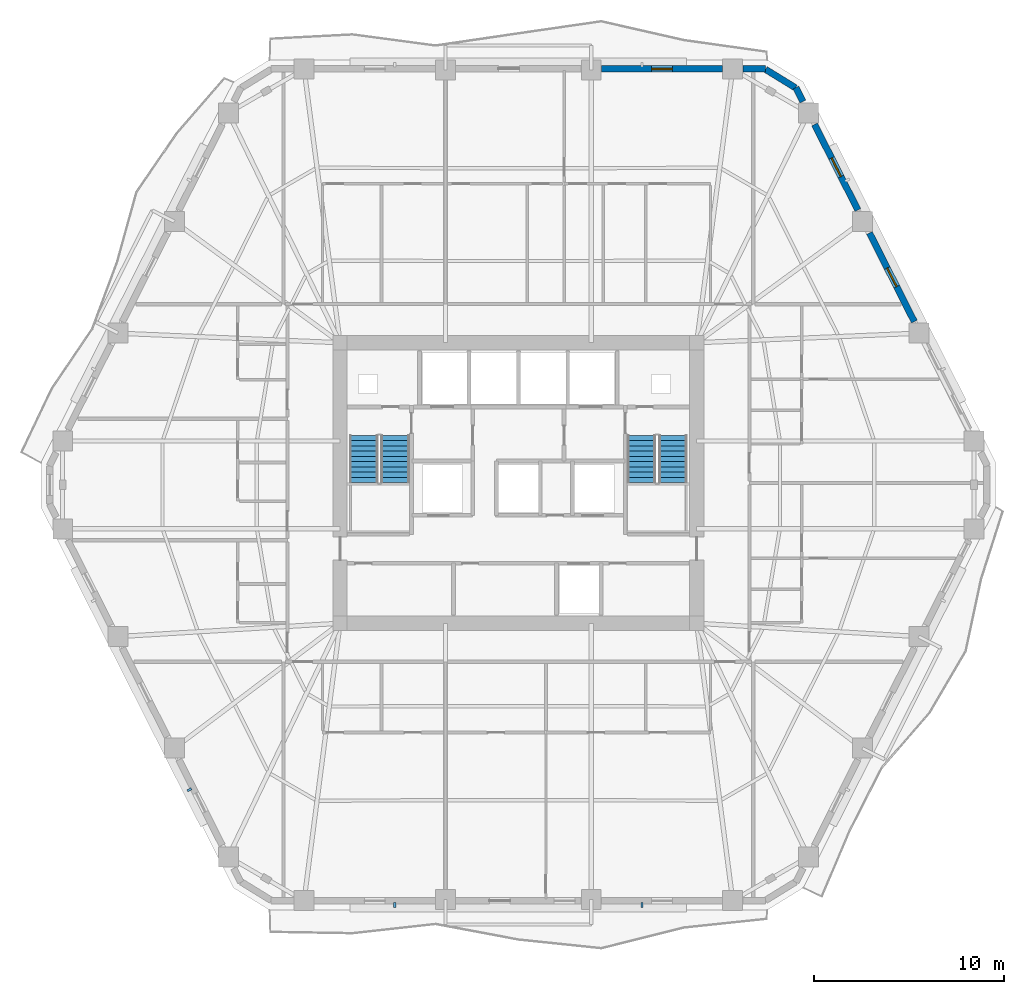
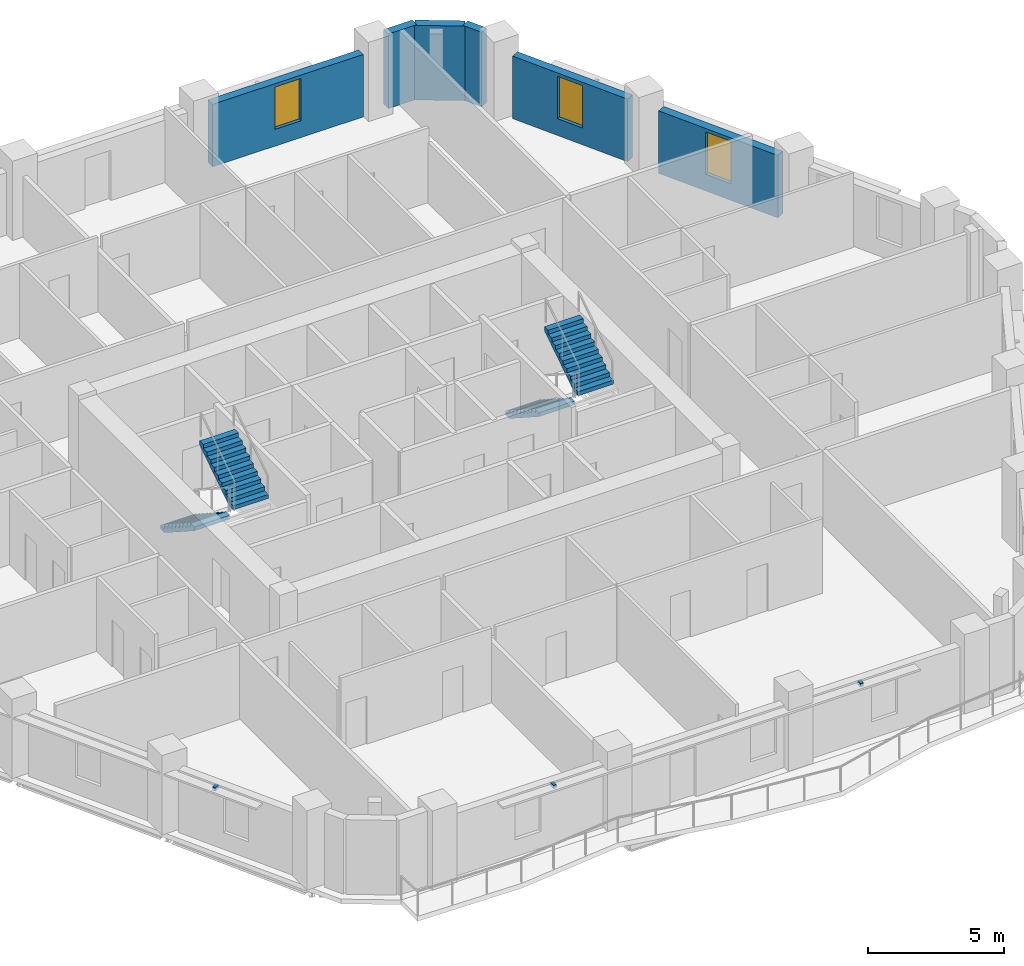
# One storey, part 8 of 12: 6 walls, 4 stair flights, 3 discrete accessories, 3 windows, 3 openings, 2 elements without a shape of their own.
"""IFC4 building model written with IfcOpenShell, lengths in metres."""

from ifc_helpers import new_model, si_unit, direction, frame, frame_2d, origin, origin_2d, place, context, subcontext, project, spatial, polyline, rectangle, outline, extrude, material, layer, layer_set, type_object, element, fill, aggregate, save


model = new_model("IFC4")

# Units and contexts
model_context = context("Model", 3, precision=1e-05, world=origin(), true_north=direction((0.0, 1.0)))
body_context = subcontext(model_context, "Body", "Model", "MODEL_VIEW")
ifc_project = project(units=[si_unit("LENGTHUNIT", "METRE"), si_unit("AREAUNIT", "SQUARE_METRE"), si_unit("VOLUMEUNIT", "CUBIC_METRE"), si_unit("PLANEANGLEUNIT", "RADIAN"), si_unit("MASSUNIT", "GRAM", prefix="KILO")], contexts=[model_context])

# Site, building, storey
site_placement = place(None, origin())
site = spatial("IfcSite", under=ifc_project, at=site_placement, CompositionType="ELEMENT")
building_placement = place(site_placement, origin())
building = spatial("IfcBuilding", under=site, at=building_placement, Name="Cinnabar Lancet Tower", CompositionType="ELEMENT")
storey_placement = place(building_placement, frame((0.0, 0.0, 137.449951171875)))
storey = spatial("IfcBuildingStorey", under=building, at=storey_placement, Name="L36", CompositionType="ELEMENT", Elevation=137.449951171875)

# Wall
ifc_material_1 = material(Name="Cinnabar red clay brick", Category="masonry")
ifc_layer = layer(ifc_material_1, 0.340087890625)
ifc_layer_set = layer_set([ifc_layer], Name="Cinnabar red clay brick")
wall_type = type_object("IfcWallType", Name="ENV-WL-BRK-RED-340", PredefinedType="STANDARD", material=ifc_layer_set)
wall_1_placement = place(storey_placement, frame((46.970947265625, 46.677001953125, 0.0), z_axis=(0.0, 0.0, 1.0), x_axis=(-0.851798915137, 0.523868884523, 0.0)))
element("IfcWall", 1, at=wall_1_placement, inside=storey, type_object=wall_type, Name="L36 Chamfered Corner Brick Pier 4.1", PredefinedType="STANDARD", context=body_context, shape_type="SweptSolid", body=[
    extrude(rectangle(XDim=1.847900390625, YDim=0.340087890625, at=frame_2d((0.923828125, 0.0))), origin(), (0.0, 0.0, 1.0), 3.340087890625),
])

# Wall, opening, window
wall_2_placement = place(storey_placement, frame((53.219970703125, 34.382080078125, 0.0), z_axis=(0.0, 0.0, 1.0), x_axis=(-0.451567731634, 0.892236842855, 0.0)))
wall_2 = element("IfcWall", 2, at=wall_2_placement, inside=storey, type_object=wall_type, Name="L36 Face 3 Masonry Bay Wall 3", PredefinedType="STANDARD", context=body_context, shape_type="SweptSolid", body=[
    extrude(rectangle(XDim=5.219482421875, YDim=0.340087890625, at=frame_2d((2.60986328125, 0.0))), origin(), (0.0, 0.0, 1.0), 2.797119140625),
])
opening_1_placement = place(wall_2_placement, frame((2.06005859375, 0.0, 0.75)))
opening_1 = element("IfcOpeningElement", 3, at=opening_1_placement, cuts=wall_2, Name="Opening WN-04", PredefinedType="OPENING", context=body_context, shape_type="SweptSolid", body=[
    extrude(rectangle(XDim=1.10009765625, YDim=1.89697265625, at=frame_2d((0.550048828125, 0.948486328125))), frame((0.0, 0.179931640625, 0.0), z_axis=(0.0, -1.0, 0.0), x_axis=(1.0, 0.0, 0.0)), (0.0, 0.0, 1.0), 0.360107421875),
])
ifc_material_2 = material(Name="Thermally broken bronze-anodized aluminium tall lancet window", Category="aluminium")
window_type = type_object("IfcWindowType", Name="ENV-WN-LANCET-1100", PartitioningType="SINGLE_PANEL", PredefinedType="WINDOW", material=ifc_material_2)
window_1_placement = place(opening_1_placement, origin())
window_1 = element("IfcWindow", 4, at=window_1_placement, inside=storey, type_object=window_type, Name="L36 Face 3 Gothic Lancet Window 3", OverallHeight=1.89697265625, OverallWidth=1.10009765625, PartitioningType="SINGLE_PANEL", PredefinedType="WINDOW", context=body_context, shape_type="SweptSolid", body=[
    extrude(rectangle(XDim=1.10009765625, YDim=1.89697265625, at=frame_2d((0.550048828125, 0.948486328125))), frame((0.0, 0.030029296875, 0.0), z_axis=(0.0, -1.0, 0.0), x_axis=(1.0, 0.0, 0.0)), (0.0, 0.0, 1.0), 0.06005859375),
])
fill(opening_1, window_1)

wall_3_placement = place(storey_placement, frame((50.2509765625, 40.2509765625, 0.0), z_axis=(0.0, 0.0, 1.0), x_axis=(-0.451548465867, 0.892246593142, 0.0)))
wall_3 = element("IfcWall", 5, at=wall_3_placement, inside=storey, type_object=wall_type, Name="L36 Face 3 Masonry Bay Wall 4", PredefinedType="STANDARD", context=body_context, shape_type="SweptSolid", body=[
    extrude(rectangle(XDim=5.040283203125, YDim=0.340087890625, at=frame_2d((2.52001953125, 0.0))), origin(), (0.0, 0.0, 1.0), 2.797119140625),
])
opening_2_placement = place(wall_3_placement, frame((1.969970703125, 0.0, 0.75)))
opening_2 = element("IfcOpeningElement", 6, at=opening_2_placement, cuts=wall_3, Name="Opening WN-04", PredefinedType="OPENING", context=body_context, shape_type="SweptSolid", body=[
    extrude(rectangle(XDim=1.10009765625, YDim=1.89697265625, at=frame_2d((0.550048828125, 0.948486328125))), frame((0.0, 0.179931640625, 0.0), z_axis=(0.0, -1.0, 0.0), x_axis=(1.0, 0.0, 0.0)), (0.0, 0.0, 1.0), 0.360107421875),
])
window_2_placement = place(opening_2_placement, origin())
window_2 = element("IfcWindow", 7, at=window_2_placement, inside=storey, type_object=window_type, Name="L36 Face 3 Gothic Lancet Window 4", OverallHeight=1.89697265625, OverallWidth=1.10009765625, PartitioningType="SINGLE_PANEL", PredefinedType="WINDOW", context=body_context, shape_type="SweptSolid", body=[
    extrude(rectangle(XDim=1.10009765625, YDim=1.89697265625, at=frame_2d((0.550048828125, 0.948486328125))), frame((0.0, 0.030029296875, 0.0), z_axis=(0.0, -1.0, 0.0), x_axis=(1.0, 0.0, 0.0)), (0.0, 0.0, 1.0), 0.06005859375),
])
fill(opening_2, window_2)

# Walls
wall_4_placement = place(storey_placement, frame((47.362060546875, 45.9599609375, 0.0), z_axis=(0.0, 0.0, 1.0), x_axis=(-0.45160540153, 0.89221777684, 0.0)))
element("IfcWall", 8, at=wall_4_placement, inside=storey, type_object=wall_type, Name="L36 Face 3 Masonry Bay Wall 5", PredefinedType="STANDARD", context=body_context, shape_type="SweptSolid", body=[
    extrude(rectangle(XDim=0.82177734375, YDim=0.340087890625, at=frame_2d((0.410888671875, 0.0))), origin(), (0.0, 0.0, 1.0), 3.340087890625),
])
wall_5_placement = place(storey_placement, frame((45.402099609375, 47.669921875, 0.0), z_axis=(0.0, 0.0, 1.0), x_axis=(-1.0, 0.0, 0.0)))
element("IfcWall", 9, at=wall_5_placement, inside=storey, type_object=wall_type, Name="L36 Face 4 Masonry Bay Wall 1", PredefinedType="STANDARD", context=body_context, shape_type="SweptSolid", body=[
    extrude(rectangle(XDim=1.2041015625, YDim=0.340087890625, at=frame_2d((0.60205078125, 0.0))), origin(), (0.0, 0.0, 1.0), 3.340087890625),
])

# Wall, opening, window
wall_6_placement = place(storey_placement, frame((43.139892578125, 47.669921875, 0.0), z_axis=(0.0, 0.0, 1.0), x_axis=(-1.0, 0.0, 0.0)))
wall_6 = element("IfcWall", 10, at=wall_6_placement, inside=storey, type_object=wall_type, Name="L36 Face 4 Masonry Bay Wall 2", PredefinedType="STANDARD", context=body_context, shape_type="SweptSolid", body=[
    extrude(rectangle(XDim=6.37890625, YDim=0.340087890625, at=frame_2d((3.189453125, 0.0))), origin(), (0.0, 0.0, 1.0), 2.797119140625),
])
opening_3_placement = place(wall_6_placement, frame((2.638916015625, 0.0, 0.75)))
opening_3 = element("IfcOpeningElement", 11, at=opening_3_placement, cuts=wall_6, Name="Opening WN-04", PredefinedType="OPENING", context=body_context, shape_type="SweptSolid", body=[
    extrude(rectangle(XDim=1.10009765625, YDim=1.89697265625, at=frame_2d((0.550048828125, 0.948486328125))), frame((0.0, 0.179931640625, 0.0), z_axis=(0.0, -1.0, 0.0), x_axis=(1.0, 0.0, 0.0)), (0.0, 0.0, 1.0), 0.360107421875),
])
window_3_placement = place(opening_3_placement, origin())
window_3 = element("IfcWindow", 12, at=window_3_placement, inside=storey, type_object=window_type, Name="L36 Face 4 Gothic Lancet Window 2", OverallHeight=1.89697265625, OverallWidth=1.10009765625, PartitioningType="SINGLE_PANEL", PredefinedType="WINDOW", context=body_context, shape_type="SweptSolid", body=[
    extrude(rectangle(XDim=1.10009765625, YDim=1.89697265625, at=frame_2d((0.550048828125, 0.948486328125))), frame((0.0, 0.030029296875, 0.0), z_axis=(0.0, -1.0, 0.0), x_axis=(1.0, 0.0, 0.0)), (0.0, 0.0, 1.0), 0.06005859375),
])
fill(opening_3, window_3)

# Stair, stair flights
ifc_material_3 = material(Name="Concrete C40/50", Category="concrete")
stair_type = type_object("IfcStairType", Name="ST-CORE", PredefinedType="HALF_TURN_STAIR", material=ifc_material_3)
stair_1_placement = place(storey_placement, origin())
stair_1 = element("IfcStair", 13, at=stair_1_placement, inside=storey, type_object=stair_type, Name="L36 ST-1", PredefinedType="HALF_TURN_STAIR")
ifc_material_4 = material(Name="Concrete C40/50", Category="concrete")
stair_flight_type = type_object("IfcStairFlightType", Name="FLIGHT-CORE", PredefinedType="STRAIGHT", material=ifc_material_4)
stair_flight_1_placement = place(storey_placement, frame((24.27490234375, 28.39990234375, 0.0), z_axis=(0.0, 0.0, 1.0), x_axis=(0.0, -1.0, 0.0)))
stair_flight_1 = element("IfcStairFlight", 14, at=stair_flight_1_placement, type_object=stair_flight_type, Name="ST-1 flight 1", NumberOfRisers=10, NumberOfTreads=9, PredefinedType="STRAIGHT", RiserHeight=0.1775, TreadLength=0.275, context=body_context, shape_type="SweptSolid", body=[
    extrude(outline(polyline([(0.0, 0.0), (0.0, 0.177490234375), (0.27490234375, 0.177490234375), (0.27490234375, 0.35498046875), (0.550048828125, 0.35498046875), (0.550048828125, 0.532470703125), (0.824951171875, 0.532470703125), (0.824951171875, 0.7099609375), (1.10009765625, 0.7099609375), (1.10009765625, 0.887451171875), (1.375, 0.887451171875), (1.375, 1.06494140625), (1.64990234375, 1.06494140625), (1.64990234375, 1.242431640625), (1.925048828125, 1.242431640625), (1.925048828125, 1.419921875), (2.199951171875, 1.419921875), (2.199951171875, 1.597412109375), (2.47509765625, 1.597412109375), (2.47509765625, 1.77490234375), (2.47509765625, 1.419189453125), (0.2763671875, 0.0), (0.0, 0.0)])), frame((0.0, 0.75, 0.0), z_axis=(0.0, -1.0, 0.0), x_axis=(1.0, 0.0, 0.0)), (0.0, 0.0, 1.0), 1.5),
])
stair_flight_2_placement = place(storey_placement, frame((25.925048828125, 25.925048828125, 1.775146484375), z_axis=(0.0, 0.0, 1.0), x_axis=(0.0, 1.0, 0.0)))
stair_flight_2 = element("IfcStairFlight", 15, at=stair_flight_2_placement, type_object=stair_flight_type, Name="ST-1 flight 2", NumberOfRisers=10, NumberOfTreads=9, PredefinedType="STRAIGHT", RiserHeight=0.1775, TreadLength=0.275, context=body_context, shape_type="SweptSolid", body=[
    extrude(outline(polyline([(0.0, 0.0), (0.0, 0.177490234375), (0.27490234375, 0.177490234375), (0.27490234375, 0.35498046875), (0.550048828125, 0.35498046875), (0.550048828125, 0.532470703125), (0.824951171875, 0.532470703125), (0.824951171875, 0.7099609375), (1.10009765625, 0.7099609375), (1.10009765625, 0.887451171875), (1.375, 0.887451171875), (1.375, 1.06494140625), (1.64990234375, 1.06494140625), (1.64990234375, 1.242431640625), (1.925048828125, 1.242431640625), (1.925048828125, 1.419921875), (2.199951171875, 1.419921875), (2.199951171875, 1.597412109375), (2.47509765625, 1.597412109375), (2.47509765625, 1.77490234375), (2.47509765625, 1.419189453125), (0.2763671875, 0.0), (0.0, 0.0)])), frame((0.0, 0.75, 0.0), z_axis=(0.0, -1.0, 0.0), x_axis=(1.0, 0.0, 0.0)), (0.0, 0.0, 1.0), 1.5),
])
aggregate(stair_1, [stair_flight_1, stair_flight_2])

stair_2_placement = place(storey_placement, origin())
stair_2 = element("IfcStair", 16, at=stair_2_placement, inside=storey, type_object=stair_type, Name="L36 ST-2", PredefinedType="HALF_TURN_STAIR")
stair_flight_3_placement = place(storey_placement, frame((38.875, 28.39990234375, 0.0), z_axis=(0.0, 0.0, 1.0), x_axis=(0.0, -1.0, 0.0)))
stair_flight_3 = element("IfcStairFlight", 17, at=stair_flight_3_placement, type_object=stair_flight_type, Name="ST-2 flight 1", NumberOfRisers=10, NumberOfTreads=9, PredefinedType="STRAIGHT", RiserHeight=0.1775, TreadLength=0.275, context=body_context, shape_type="SweptSolid", body=[
    extrude(outline(polyline([(0.0, 0.0), (0.0, 0.177490234375), (0.27490234375, 0.177490234375), (0.27490234375, 0.35498046875), (0.550048828125, 0.35498046875), (0.550048828125, 0.532470703125), (0.824951171875, 0.532470703125), (0.824951171875, 0.7099609375), (1.10009765625, 0.7099609375), (1.10009765625, 0.887451171875), (1.375, 0.887451171875), (1.375, 1.06494140625), (1.64990234375, 1.06494140625), (1.64990234375, 1.242431640625), (1.925048828125, 1.242431640625), (1.925048828125, 1.419921875), (2.199951171875, 1.419921875), (2.199951171875, 1.597412109375), (2.47509765625, 1.597412109375), (2.47509765625, 1.77490234375), (2.47509765625, 1.419189453125), (0.2763671875, 0.0), (0.0, 0.0)])), frame((0.0, 0.75, 0.0), z_axis=(0.0, -1.0, 0.0), x_axis=(1.0, 0.0, 0.0)), (0.0, 0.0, 1.0), 1.5),
])
stair_flight_4_placement = place(storey_placement, frame((40.52490234375, 25.925048828125, 1.775146484375), z_axis=(0.0, 0.0, 1.0), x_axis=(0.0, 1.0, 0.0)))
stair_flight_4 = element("IfcStairFlight", 18, at=stair_flight_4_placement, type_object=stair_flight_type, Name="ST-2 flight 2", NumberOfRisers=10, NumberOfTreads=9, PredefinedType="STRAIGHT", RiserHeight=0.1775, TreadLength=0.275, context=body_context, shape_type="SweptSolid", body=[
    extrude(outline(polyline([(0.0, 0.0), (0.0, 0.177490234375), (0.27490234375, 0.177490234375), (0.27490234375, 0.35498046875), (0.550048828125, 0.35498046875), (0.550048828125, 0.532470703125), (0.824951171875, 0.532470703125), (0.824951171875, 0.7099609375), (1.10009765625, 0.7099609375), (1.10009765625, 0.887451171875), (1.375, 0.887451171875), (1.375, 1.06494140625), (1.64990234375, 1.06494140625), (1.64990234375, 1.242431640625), (1.925048828125, 1.242431640625), (1.925048828125, 1.419921875), (2.199951171875, 1.419921875), (2.199951171875, 1.597412109375), (2.47509765625, 1.597412109375), (2.47509765625, 1.77490234375), (2.47509765625, 1.419189453125), (0.2763671875, 0.0), (0.0, 0.0)])), frame((0.0, 0.75, 0.0), z_axis=(0.0, -1.0, 0.0), x_axis=(1.0, 0.0, 0.0)), (0.0, 0.0, 1.0), 1.5),
])
aggregate(stair_2, [stair_flight_3, stair_flight_4])

# Discrete accessories
ifc_material_5 = material(Name="Stainless steel 316 facade fixing bracket", Category="steel")
discrete_accessory_type = type_object("IfcDiscreteAccessoryType", Name="ENV-ACC-BRK-180", PredefinedType="BRACKET", material=ifc_material_5)
for number, where, z_axis, x_axis, name in (
    (19, (25.89892578125, 3.7099609375, 2.60009765625), (0.0, 0.0, 1.0), (1.0, 0.0, 0.0), "L36 Face 1 Sunshade Bracket A"),
    (20, (38.90087890625, 3.7099609375, 2.60009765625), (0.0, 0.0, 1.0), (1.0, 0.0, 0.0), "L36 Face 1 Sunshade Bracket B"),
    (21, (15.10107421875, 9.77197265625, 2.60009765625), (0.0, 0.0, 1.0), (0.451453853408, -0.892294468347, 0.0), "L36 Face 6 Sunshade Bracket B"),
):
    element("IfcDiscreteAccessory", number, at=place(storey_placement, frame(where, z_axis=z_axis, x_axis=x_axis)), inside=storey, type_object=discrete_accessory_type, Name=name, PredefinedType="BRACKET", context=body_context, shape_type="SweptSolid", body=[
        extrude(rectangle(XDim=0.1201171875, YDim=0.239990234375, at=origin_2d()), origin(), (0.0, 0.0, 1.0), 0.159912109375),
    ])

save(model, "model.ifc")
